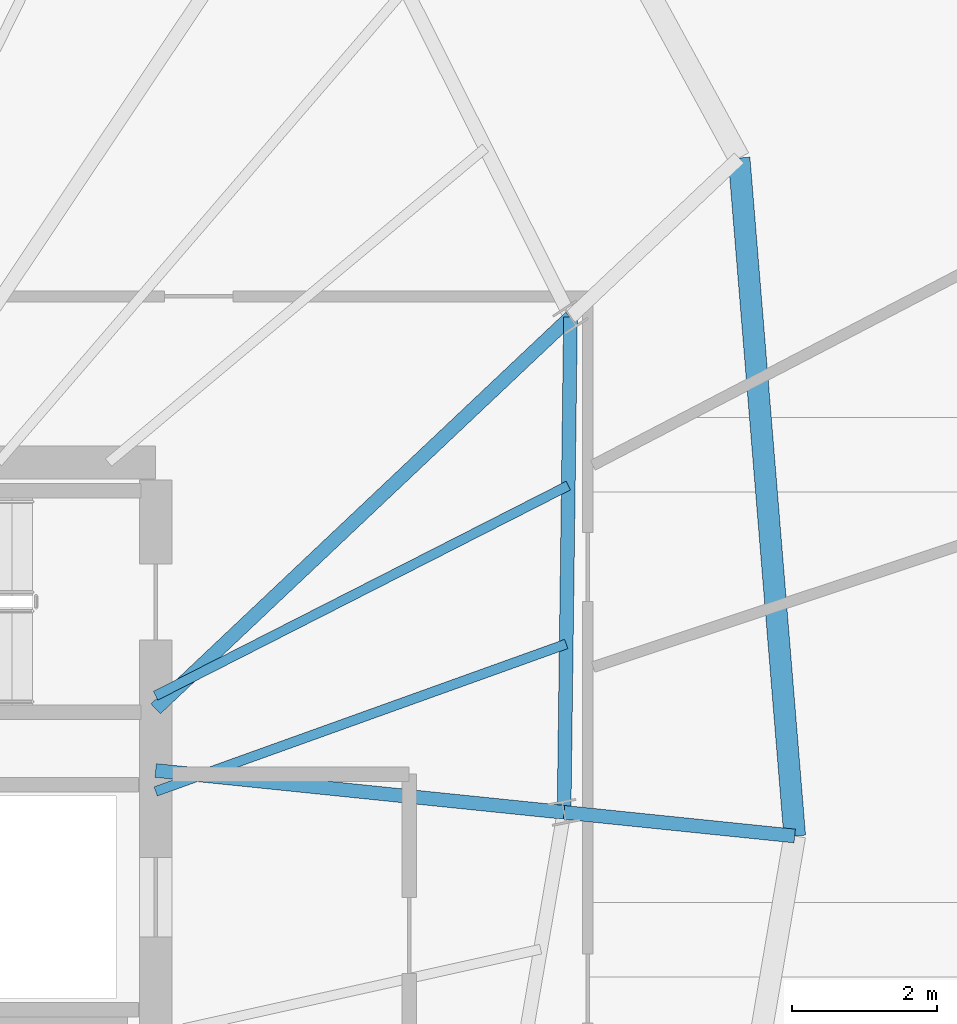
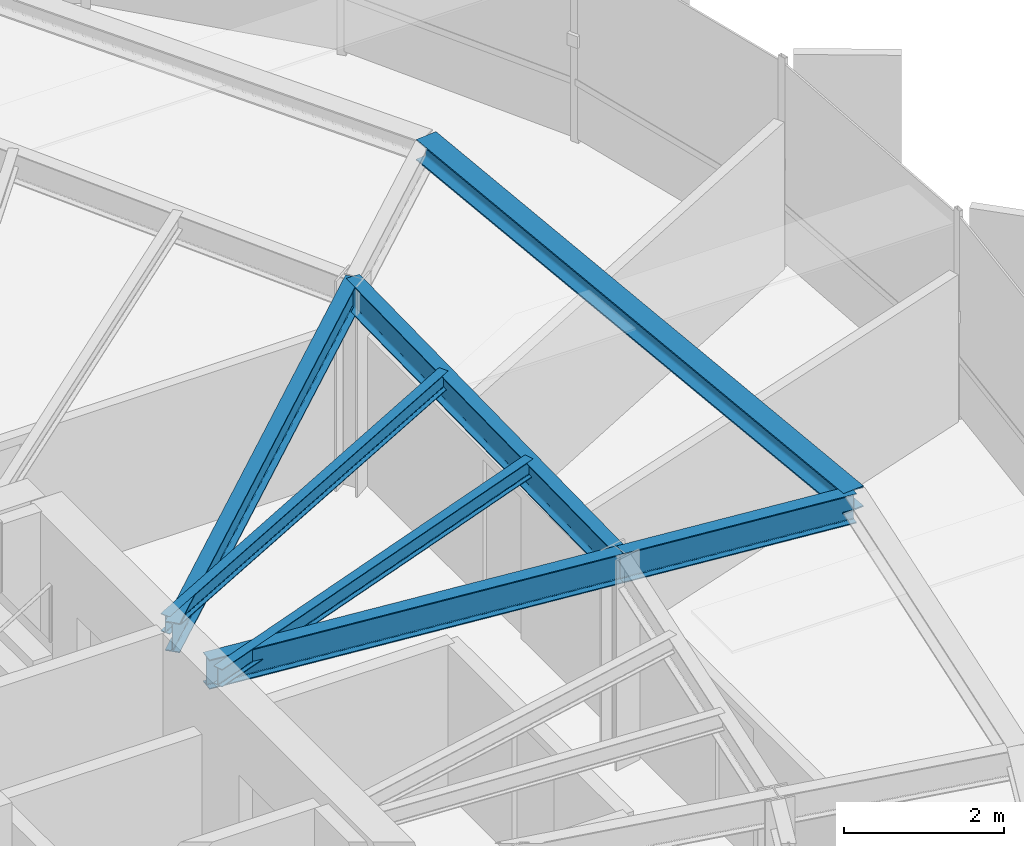
# One storey, part 16 of 33: 7 beams.
"""IFC4 building model written with IfcOpenShell, lengths in metres."""

from ifc_helpers import new_model, si_unit, direction, frame, origin, origin_2d, place, context, subcontext, project, spatial, i_section, extrude, source, transform, mapped, material, material_profile, profile_set, type_object, element, save


model = new_model("IFC4")

# Units and contexts
model_context = context("Model", 3, precision=1e-05, world=origin(), true_north=direction((0.0, 1.0)))
body_context = subcontext(model_context, "Body", "Model", "MODEL_VIEW")
ifc_project = project(units=[si_unit("LENGTHUNIT", "METRE"), si_unit("AREAUNIT", "SQUARE_METRE"), si_unit("VOLUMEUNIT", "CUBIC_METRE"), si_unit("PLANEANGLEUNIT", "RADIAN"), si_unit("MASSUNIT", "GRAM", prefix="KILO"), si_unit("THERMODYNAMICTEMPERATUREUNIT", "KELVIN")], contexts=[model_context])

# Site, building, storey
site_placement = place(None, origin())
site = spatial("IfcSite", under=ifc_project, at=site_placement, CompositionType="ELEMENT")
building_placement = place(site_placement, origin())
building = spatial("IfcBuilding", under=site, at=building_placement, Name="Kethvar Cultural Tower", CompositionType="ELEMENT")
storey_placement = place(building_placement, frame((0.0, 0.0, 238.75)))
storey = spatial("IfcBuildingStorey", under=building, at=storey_placement, Name="L62", CompositionType="ELEMENT", Elevation=238.75)

# Beams
ifc_material = material(Name="Steel S355J2", Category="steel")
ifc_material_profile_1 = material_profile(ifc_material, i_section(OverallWidth=0.18994140625, OverallDepth=0.449951171875, WebThickness=0.009521484375, FlangeThickness=0.0146484375, FilletRadius=0.02099609375, at=origin_2d()), Name="Steel S355J2 — IPE450")
ifc_profile_set_1 = profile_set([ifc_material_profile_1], Name="Steel S355J2 — IPE450")
beam_type_1 = type_object("IfcBeamType", Name="BM-IPE450", PredefinedType="BEAM", material=ifc_profile_set_1)
shared_shape_1 = source(origin(), body_context, "Body", "SweptSolid", [
    extrude(i_section(OverallWidth=0.18994140625, OverallDepth=0.449951171875, WebThickness=0.009521484375, FlangeThickness=0.0146484375, FilletRadius=0.02099609375, at=origin_2d()), origin(), (0.0, 0.0, 1.0), 5.66650390625),
])
beam_1_placement = place(storey_placement, frame((55.60009765625, 31.25, 2.98291015625), z_axis=(0.994777513459, -0.102067128476, 0.0), x_axis=(0.102067128476, 0.994777513459, 0.0)))
element("IfcBeam", 1, at=beam_1_placement, inside=storey, type_object=beam_type_1, Name="L62 Primary Radial Beam RB-01", PredefinedType="BEAM", context=body_context, shape_type="MappedRepresentation", body=[
    mapped(shared_shape_1, transform((0.0, 0.0, 0.0), scale=1.0)),
])
shared_shape_2 = source(origin(), body_context, "Body", "SweptSolid", [
    extrude(i_section(OverallWidth=0.18994140625, OverallDepth=0.449951171875, WebThickness=0.009521484375, FlangeThickness=0.0146484375, FilletRadius=0.02099609375, at=origin_2d()), origin(), (0.0, 0.0, 1.0), 3.199951171875),
])
beam_2_placement = place(storey_placement, frame((61.237060546875, 30.671630859375, 2.98291015625), z_axis=(0.994784019447, -0.10200369921, 0.0), x_axis=(0.10200369921, 0.994784019447, 0.0)))
element("IfcBeam", 2, at=beam_2_placement, inside=storey, type_object=beam_type_1, Name="L62 Perimeter Cantilever Beam RC-01", PredefinedType="BEAM", context=body_context, shape_type="MappedRepresentation", body=[
    mapped(shared_shape_2, transform((0.0, 0.0, 0.0), scale=1.0)),
])
shared_shape_3 = source(origin(), body_context, "Body", "SweptSolid", [
    extrude(i_section(OverallWidth=0.18994140625, OverallDepth=0.449951171875, WebThickness=0.009521484375, FlangeThickness=0.0146484375, FilletRadius=0.02099609375, at=origin_2d()), origin(), (0.0, 0.0, 1.0), 7.874267578125),
])
beam_3_placement = place(storey_placement, frame((55.60009765625, 32.10009765625, 2.98291015625), z_axis=(0.727123202456, 0.686506990823, 0.0), x_axis=(-0.686506990823, 0.727123202456, 0.0)))
element("IfcBeam", 3, at=beam_3_placement, inside=storey, type_object=beam_type_1, Name="L62 Primary Radial Beam RB-02", PredefinedType="BEAM", context=body_context, shape_type="MappedRepresentation", body=[
    mapped(shared_shape_3, transform((0.0, 0.0, 0.0), scale=1.0)),
])
shared_shape_4 = source(origin(), body_context, "Body", "SweptSolid", [
    extrude(i_section(OverallWidth=0.18994140625, OverallDepth=0.449951171875, WebThickness=0.009521484375, FlangeThickness=0.0146484375, FilletRadius=0.02099609375, at=origin_2d()), origin(), (0.0, 0.0, 1.0), 6.834716796875),
])
beam_4_placement = place(storey_placement, frame((61.237060546875, 30.671630859375, 2.98291015625), z_axis=(0.012966437445, 0.999915932216, 0.0), x_axis=(-0.999915932216, 0.012966437445, 0.0)))
element("IfcBeam", 4, at=beam_4_placement, inside=storey, type_object=beam_type_1, Name="L62 Column Ring Tie Beam CR-01", PredefinedType="BEAM", context=body_context, shape_type="MappedRepresentation", body=[
    mapped(shared_shape_4, transform((0.0, 0.0, 0.0), scale=1.0)),
])
ifc_material_profile_2 = material_profile(ifc_material, i_section(OverallWidth=0.300048828125, OverallDepth=0.320068359375, WebThickness=0.011474609375, FlangeThickness=0.0205078125, FilletRadius=0.027099609375, at=origin_2d()), Name="Steel S355J2 — HEB320")
ifc_profile_set_2 = profile_set([ifc_material_profile_2], Name="Steel S355J2 — HEB320")
beam_type_2 = type_object("IfcBeamType", Name="BM-SP320", PredefinedType="SPANDREL", material=ifc_profile_set_2)
shared_shape_5 = source(origin(), body_context, "Body", "SweptSolid", [
    extrude(i_section(OverallWidth=0.300048828125, OverallDepth=0.320068359375, WebThickness=0.011474609375, FlangeThickness=0.0205078125, FilletRadius=0.027099609375, at=origin_2d()), origin(), (0.0, 0.0, 1.0), 9.388916015625),
])
beam_5_placement = place(storey_placement, frame((64.42041015625, 30.34521484375, 3.048095703125), z_axis=(-0.08178004371, 0.996650402323, 0.0), x_axis=(-0.996650402323, -0.08178004371, 0.0)))
element("IfcBeam", 5, at=beam_5_placement, inside=storey, type_object=beam_type_2, Name="L62 Perimeter Spandrel Beam SP-01", PredefinedType="SPANDREL", context=body_context, shape_type="MappedRepresentation", body=[
    mapped(shared_shape_5, transform((0.0, 0.0, 0.0), scale=1.0)),
])
ifc_material_profile_3 = material_profile(ifc_material, i_section(OverallWidth=0.135009765625, OverallDepth=0.27001953125, WebThickness=0.006591796875, FlangeThickness=0.01025390625, FilletRadius=0.014892578125, at=origin_2d()), Name="Steel S355J2 — IPE270")
ifc_profile_set_3 = profile_set([ifc_material_profile_3], Name="Steel S355J2 — IPE270")
beam_type_3 = type_object("IfcBeamType", Name="BM-J270", PredefinedType="JOIST", material=ifc_profile_set_3)
shared_shape_6 = source(origin(), body_context, "Body", "SweptSolid", [
    extrude(i_section(OverallWidth=0.135009765625, OverallDepth=0.27001953125, WebThickness=0.006591796875, FlangeThickness=0.01025390625, FilletRadius=0.014892578125, at=origin_2d()), origin(), (0.0, 0.0, 1.0), 6.021240234375),
])
beam_6_placement = place(storey_placement, frame((55.60009765625, 30.960205078125, 3.072998046875), z_axis=(0.94114970072, 0.337990001086, 0.0), x_axis=(-0.337990001086, 0.94114970072, 0.0)))
element("IfcBeam", 6, at=beam_6_placement, inside=storey, type_object=beam_type_3, Name="L62 Composite Floor Joist J-01A", PredefinedType="JOIST", context=body_context, shape_type="MappedRepresentation", body=[
    mapped(shared_shape_6, transform((0.0, 0.0, 0.0), scale=1.0)),
])
shared_shape_7 = source(origin(), body_context, "Body", "SweptSolid", [
    extrude(i_section(OverallWidth=0.135009765625, OverallDepth=0.27001953125, WebThickness=0.006591796875, FlangeThickness=0.01025390625, FilletRadius=0.014892578125, at=origin_2d()), origin(), (0.0, 0.0, 1.0), 6.3916015625),
])
beam_7_placement = place(storey_placement, frame((55.60009765625, 32.281494140625, 3.072998046875), z_axis=(0.891094874615, 0.453817060538, 0.0), x_axis=(-0.453817060538, 0.891094874615, 0.0)))
element("IfcBeam", 7, at=beam_7_placement, inside=storey, type_object=beam_type_3, Name="L62 Composite Floor Joist J-01B", PredefinedType="JOIST", context=body_context, shape_type="MappedRepresentation", body=[
    mapped(shared_shape_7, transform((0.0, 0.0, 0.0), scale=1.0)),
])

save(model, "model.ifc")
